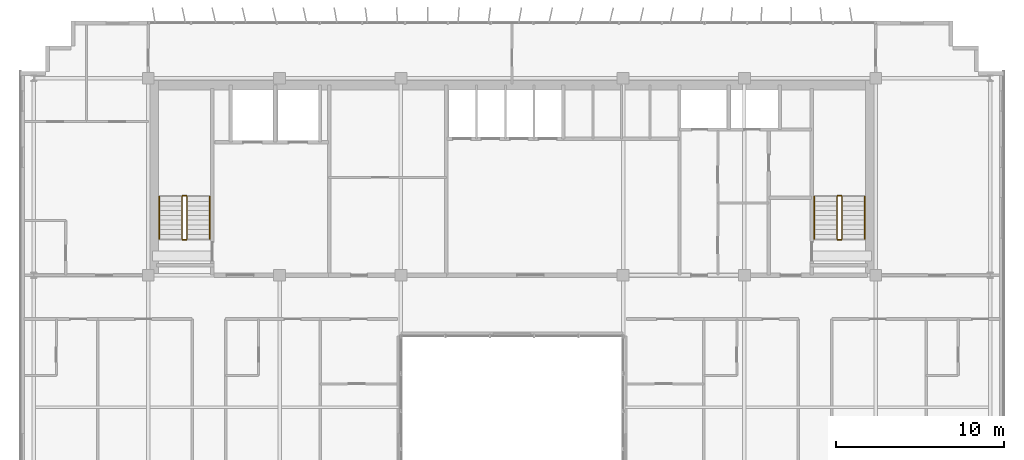
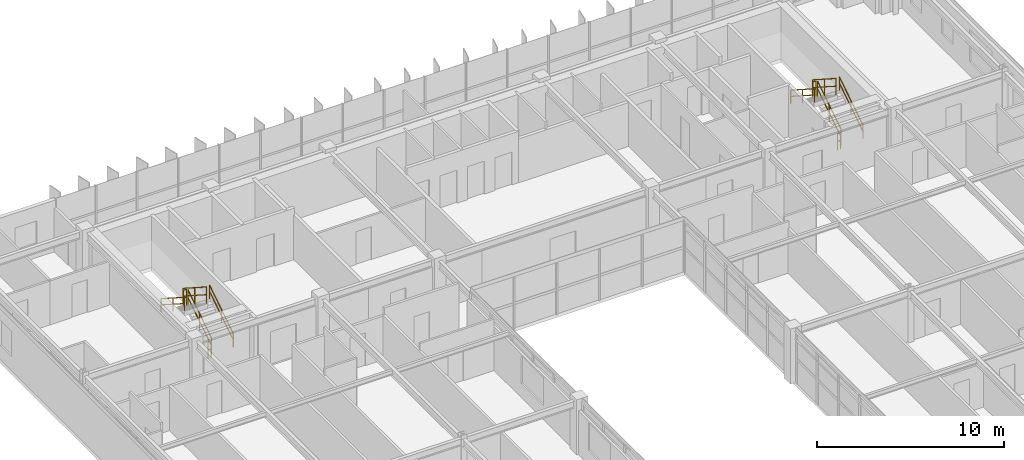
# One storey, part 34 of 34: 12 railings.
"""IFC4 building model written with IfcOpenShell, lengths in metres."""

import ifcopenshell
import ifcopenshell.guid

model = None  # the IFC model being written
_history = None  # IfcOwnerHistory: only IFC2X3 demands one
_inside = {}  # id of a spatial element -> (the spatial element, [elements in it])
_under = {}  # id of a project, library or spatial element -> (it, [spatial elements below it])
_declared = {}  # id of a project -> (the project, [libraries it declares])
_typed = {}  # id of a type object -> (the type object, [elements of that type])
_made_of = {}  # id of a material, layer set ... -> (it, [elements and type objects made of it])


def new_model(schema):
    """Start an empty IFC model of exactly this schema.

    Asked for "IFC4X3", IfcOpenShell would pick the latest addendum, in which some entities
    have other attributes; the version numbers below select the first issue.
    IFC2X3 requires an IfcOwnerHistory on every rooted entity: one is made here for all.
    """
    global model, _history
    if schema == "IFC4X3":
        model = ifcopenshell.file(schema_version=(4, 3, 0, 0))
    else:
        model = ifcopenshell.file(schema=schema)
    _inside.clear()
    _under.clear()
    _declared.clear()
    _typed.clear()
    _made_of.clear()
    _history = None
    if model.schema == "IFC2X3":
        org = make("IfcOrganization", Name="unknown")
        user = make(
            "IfcPersonAndOrganization",
            ThePerson=make("IfcPerson", FamilyName="unknown"),
            TheOrganization=org,
        )
        app = make(
            "IfcApplication",
            ApplicationDeveloper=org,
            Version="unknown",
            ApplicationFullName="unknown",
            ApplicationIdentifier="unknown",
        )
        _history = make(
            "IfcOwnerHistory",
            OwningUser=user,
            OwningApplication=app,
            ChangeAction="ADDED",
            CreationDate=0,
        )
    return model


def make(cls, **values):
    """One entity of the class cls with the attributes given. An attribute that is None is left unset."""
    return model.create_entity(
        cls, **{name: value for name, value in values.items() if value is not None}
    )


def rooted(cls, **values):
    """An entity with a GlobalId (a new one), such as an element, a storey or a relation."""
    return make(cls, GlobalId=ifcopenshell.guid.new(), OwnerHistory=_history, **values)


def si_unit(unit_type, name, prefix=None):
    """IfcSIUnit, for example si_unit("LENGTHUNIT", "METRE", prefix="MILLI")."""
    return make("IfcSIUnit", UnitType=unit_type, Prefix=prefix, Name=name)


def assignment(units):
    """IfcUnitAssignment: the units of a project."""
    return None if units is None else make("IfcUnitAssignment", Units=units)


def point(xyz):
    """IfcCartesianPoint."""
    return None if xyz is None else make("IfcCartesianPoint", Coordinates=xyz)


def direction(xyz):
    """IfcDirection."""
    return None if xyz is None else make("IfcDirection", DirectionRatios=xyz)


def frame(location, z_axis=None, x_axis=None):
    """IfcAxis2Placement3D, a coordinate frame: its origin and axes. An axis left out is left unset."""
    return make(
        "IfcAxis2Placement3D",
        Location=point(location),
        Axis=direction(z_axis),
        RefDirection=direction(x_axis),
    )


def frame_2d(location, x_axis=None):
    """IfcAxis2Placement2D, a coordinate frame in the plane: its origin and x axis."""
    return make(
        "IfcAxis2Placement2D", Location=point(location), RefDirection=direction(x_axis)
    )


def origin():
    """The frame at (0, 0, 0) with its axes left unset."""
    return frame((0.0, 0.0, 0.0))


def origin_2d():
    """The frame at (0, 0) in the plane with its x axis left unset."""
    return frame_2d((0.0, 0.0))


def place(relative_to, where):
    """IfcLocalPlacement: puts the frame where relative to a parent placement (None: the world)."""
    return make(
        "IfcLocalPlacement", PlacementRelTo=relative_to, RelativePlacement=where
    )


def context(
    kind, dimensions, precision=None, world=None, true_north=None, identifier=None
):
    """IfcGeometricRepresentationContext, for example the 3D "Model" context."""
    return make(
        "IfcGeometricRepresentationContext",
        ContextIdentifier=identifier,
        ContextType=kind,
        CoordinateSpaceDimension=dimensions,
        Precision=precision,
        WorldCoordinateSystem=world,
        TrueNorth=true_north,
    )


def subcontext(parent, identifier, kind, view, scale=None):
    """IfcGeometricRepresentationSubContext, for example "Body" below "Model"."""
    return make(
        "IfcGeometricRepresentationSubContext",
        ContextIdentifier=identifier,
        ContextType=kind,
        ParentContext=parent,
        TargetScale=scale,
        TargetView=view,
    )


def project(units=None, contexts=None):
    """IfcProject with its units and contexts."""
    return rooted(
        "IfcProject",
        Name="project",
        RepresentationContexts=contexts,
        UnitsInContext=assignment(units),
    )


def spatial(cls, under=None, at=None, **own):
    """A site, building, storey or space (cls), placed at a placement, below another one or the project."""
    s = rooted(cls, ObjectPlacement=at, **own)
    if under is not None:
        _under.setdefault(under.id(), (under, []))[1].append(s)
    return s


def profile(cls, at=None, kind="AREA", **sizes):
    """A parametric profile (cls). Its sizes go by their IFC names, for example OverallWidth=200.0."""
    return make(cls, ProfileType=kind, Position=at, **sizes)


def rectangle(**sizes):
    """IfcRectangleProfileDef."""
    return profile("IfcRectangleProfileDef", **sizes)


def extrude(swept, where, along, depth):
    """IfcExtrudedAreaSolid: the profile swept, set in the frame where, extruded along a direction by depth."""
    return make(
        "IfcExtrudedAreaSolid",
        SweptArea=swept,
        Position=where,
        ExtrudedDirection=direction(along),
        Depth=depth,
    )


def shape(context_of_items, identifier, shape_type, items):
    """IfcShapeRepresentation: the items that make up one representation, for example the "Body"."""
    return make(
        "IfcShapeRepresentation",
        ContextOfItems=context_of_items,
        RepresentationIdentifier=identifier,
        RepresentationType=shape_type,
        Items=items,
    )


def material(Name=None, Category=None):
    """IfcMaterial."""
    return make("IfcMaterial", Name=Name, Category=Category)


def made_of(thing, what):
    """Note that an element or type object is made of a material, layer set ...; save() writes the relation."""
    if what is not None:
        _made_of.setdefault(what.id(), (what, []))[1].append(thing)
    return thing


def type_object(cls, material=None, **own):
    """A type object (cls), such as IfcWallType, which elements share."""
    return made_of(rooted(cls, **own), material)


def element(
    cls,
    number,
    at=None,
    inside=None,
    cuts=None,
    type_object=None,
    material=None,
    context=None,
    identifier="Body",
    shape_type=None,
    held_by="IfcProductDefinitionShape",
    body=None,
    shapes=None,
    **own,
):
    """One element of the class cls, such as IfcWall. Its Tag is "e" and its number.

    at: its placement. inside: the storey or other place that contains it. cuts: it is an
    opening in that element (IfcRelVoidsElement). A single representation is given by context,
    identifier, shape_type and body (its items); several are given by shapes. held_by: the class
    of the entity that holds the representations. save() writes the other relations.
    """
    e = rooted(cls, Tag="e%d" % number, ObjectPlacement=at, **own)
    if body is not None:
        shapes = [shape(context, identifier, shape_type, body)]
    if shapes is not None:
        e.Representation = make(held_by, Representations=shapes)
    if inside is not None:
        _inside.setdefault(inside.id(), (inside, []))[1].append(e)
    if cuts is not None:
        rooted(
            "IfcRelVoidsElement", RelatingBuildingElement=cuts, RelatedOpeningElement=e
        )
    if type_object is not None:
        _typed.setdefault(type_object.id(), (type_object, []))[1].append(e)
    return made_of(e, material)


def aggregate(whole, parts):
    """IfcRelAggregates: a whole, such as a stair, and the parts it consists of."""
    return rooted("IfcRelAggregates", RelatingObject=whole, RelatedObjects=parts)


def save(model, path):
    """Write the relations noted so far, then the file.

    IfcRelAggregates (storeys below a building ...), IfcRelContainedInSpatialStructure (elements
    in a storey), IfcRelDefinesByType, IfcRelAssociatesMaterial and IfcRelDeclares: one each for
    every whole, place, type object, material and project.
    """
    for whole, parts in _under.values():
        aggregate(whole, parts)
    for where, things in _inside.values():
        rooted(
            "IfcRelContainedInSpatialStructure",
            RelatedElements=things,
            RelatingStructure=where,
        )
    for kind, things in _typed.values():
        rooted("IfcRelDefinesByType", RelatedObjects=things, RelatingType=kind)
    for what, things in _made_of.values():
        rooted("IfcRelAssociatesMaterial", RelatedObjects=things, RelatingMaterial=what)
    for by, libraries in _declared.values():
        rooted("IfcRelDeclares", RelatingContext=by, RelatedDefinitions=libraries)
    model.write(path)


model = new_model("IFC4")

# Units and contexts
model_context = context("Model", 3, precision=1e-05, world=origin(), true_north=direction((0.0, 1.0)))
body_context = subcontext(model_context, "Body", "Model", "MODEL_VIEW")
ifc_project = project(units=[si_unit("LENGTHUNIT", "METRE"), si_unit("AREAUNIT", "SQUARE_METRE"), si_unit("VOLUMEUNIT", "CUBIC_METRE"), si_unit("PLANEANGLEUNIT", "RADIAN"), si_unit("MASSUNIT", "GRAM", prefix="KILO")], contexts=[model_context])

# Site, building, storey
site_placement = place(None, origin())
site = spatial("IfcSite", under=ifc_project, at=site_placement, CompositionType="ELEMENT")
building_placement = place(site_placement, origin())
building = spatial("IfcBuilding", under=site, at=building_placement, Name="Trelvane Seafront Commons", CompositionType="ELEMENT")
storey_placement = place(building_placement, frame((0.0, 0.0, 197.699951171875)))
storey = spatial("IfcBuildingStorey", under=building, at=storey_placement, Name="L51", CompositionType="ELEMENT", Elevation=197.699951171875)

# Railings
ifc_material = material(Name="Stainless steel balustrade", Category="steel")
railing_type_1 = type_object("IfcRailingType", Name="ARCH-SRL-GUARD", PredefinedType="GUARDRAIL", material=ifc_material)
railing_1_placement = place(storey_placement, frame((17.89990234375, 35.550048828125, 0.179931640625)))
element("IfcRailing", 1, at=railing_1_placement, inside=storey, type_object=railing_type_1, Name="L51 ST-1 stair guard 1", PredefinedType="GUARDRAIL", context=body_context, shape_type="SweptSolid", body=[
    extrude(rectangle(XDim=0.048095703125, YDim=0.048095703125, at=origin_2d()), frame((0.0, 0.0, 1.076171875), z_axis=(0.0, 0.841162588446, 0.540782303519), x_axis=(-1.0, 0.0, 0.0)), (0.0, 0.0, 1.0), 2.995849609375),
    extrude(rectangle(XDim=0.048095703125, YDim=0.048095703125, at=origin_2d()), frame((0.0, 0.0, 0.572021484375), z_axis=(0.0, 0.841162588446, 0.540782303519), x_axis=(-1.0, 0.0, 0.0)), (0.0, 0.0, 1.0), 2.995849609375),
    extrude(rectangle(XDim=0.0419921875, YDim=0.0419921875, at=origin_2d()), origin(), (0.0, 0.0, 1.0), 1.076171875),
    extrude(rectangle(XDim=0.0419921875, YDim=0.0419921875, at=origin_2d()), frame((0.0, 1.260009765625, 0.81005859375)), (0.0, 0.0, 1.0), 1.076171875),
    extrude(rectangle(XDim=0.0419921875, YDim=0.0419921875, at=origin_2d()), frame((0.0, 2.52001953125, 1.6201171875)), (0.0, 0.0, 1.0), 1.076171875),
])
railing_2_placement = place(storey_placement, frame((17.85009765625, 38.1201171875, 1.800048828125)))
element("IfcRailing", 2, at=railing_2_placement, inside=storey, type_object=railing_type_1, Name="L51 ST-1 stair guard 2", PredefinedType="GUARDRAIL", context=body_context, shape_type="SweptSolid", body=[
    extrude(rectangle(XDim=0.048095703125, YDim=0.048095703125, at=origin_2d()), frame((0.0, 0.0, 1.076171875), z_axis=(-1.0, 0.0, 0.0), x_axis=(0.0, -1.0, 0.0)), (0.0, 0.0, 1.0), 0.2001953125),
    extrude(rectangle(XDim=0.048095703125, YDim=0.048095703125, at=origin_2d()), frame((0.0, 0.0, 0.572021484375), z_axis=(-1.0, 0.0, 0.0), x_axis=(0.0, -1.0, 0.0)), (0.0, 0.0, 1.0), 0.2001953125),
    extrude(rectangle(XDim=0.0419921875, YDim=0.0419921875, at=origin_2d()), origin(), (0.0, 0.0, 1.0), 1.076171875),
    extrude(rectangle(XDim=0.0419921875, YDim=0.0419921875, at=origin_2d()), frame((-0.2001953125, 0.0, 0.0)), (0.0, 0.0, 1.0), 1.076171875),
])
railing_3_placement = place(storey_placement, frame((17.60009765625, 38.070068359375, 1.97998046875)))
element("IfcRailing", 3, at=railing_3_placement, inside=storey, type_object=railing_type_1, Name="L51 ST-1 stair guard 3", PredefinedType="GUARDRAIL", context=body_context, shape_type="SweptSolid", body=[
    extrude(rectangle(XDim=0.048095703125, YDim=0.048095703125, at=origin_2d()), frame((0.0, 0.0, 1.076171875), z_axis=(0.0, -0.841162588446, 0.540782303519), x_axis=(1.0, 0.0, 0.0)), (0.0, 0.0, 1.0), 2.995849609375),
    extrude(rectangle(XDim=0.048095703125, YDim=0.048095703125, at=origin_2d()), frame((0.0, 0.0, 0.572021484375), z_axis=(0.0, -0.841162588446, 0.540782303519), x_axis=(1.0, 0.0, 0.0)), (0.0, 0.0, 1.0), 2.995849609375),
    extrude(rectangle(XDim=0.0419921875, YDim=0.0419921875, at=origin_2d()), origin(), (0.0, 0.0, 1.0), 1.076171875),
    extrude(rectangle(XDim=0.0419921875, YDim=0.0419921875, at=origin_2d()), frame((0.0, -1.260009765625, 0.81005859375)), (0.0, 0.0, 1.0), 1.076171875),
    extrude(rectangle(XDim=0.0419921875, YDim=0.0419921875, at=origin_2d()), frame((0.0, -2.52001953125, 1.6201171875)), (0.0, 0.0, 1.0), 1.076171875),
])
railing_4_placement = place(storey_placement, frame((17.85009765625, 35.5, 0.0)))
element("IfcRailing", 4, at=railing_4_placement, inside=storey, type_object=railing_type_1, Name="L51 ST-1 stair guard 4", PredefinedType="GUARDRAIL", context=body_context, shape_type="SweptSolid", body=[
    extrude(rectangle(XDim=0.048095703125, YDim=0.048095703125, at=origin_2d()), frame((0.0, 0.0, 1.076171875), z_axis=(-1.0, 0.0, 0.0), x_axis=(0.0, -1.0, 0.0)), (0.0, 0.0, 1.0), 0.2001953125),
    extrude(rectangle(XDim=0.048095703125, YDim=0.048095703125, at=origin_2d()), frame((0.0, 0.0, 0.572021484375), z_axis=(-1.0, 0.0, 0.0), x_axis=(0.0, -1.0, 0.0)), (0.0, 0.0, 1.0), 0.2001953125),
    extrude(rectangle(XDim=0.0419921875, YDim=0.0419921875, at=origin_2d()), origin(), (0.0, 0.0, 1.0), 1.076171875),
    extrude(rectangle(XDim=0.0419921875, YDim=0.0419921875, at=origin_2d()), frame((-0.2001953125, 0.0, 0.0)), (0.0, 0.0, 1.0), 1.076171875),
])
railing_5_placement = place(storey_placement, frame((56.800048828125, 35.550048828125, 0.179931640625)))
element("IfcRailing", 5, at=railing_5_placement, inside=storey, type_object=railing_type_1, Name="L51 ST-2 stair guard 1", PredefinedType="GUARDRAIL", context=body_context, shape_type="SweptSolid", body=[
    extrude(rectangle(XDim=0.048095703125, YDim=0.048095703125, at=origin_2d()), frame((0.0, 0.0, 1.076171875), z_axis=(0.0, 0.841162588446, 0.540782303519), x_axis=(-1.0, 0.0, 0.0)), (0.0, 0.0, 1.0), 2.995849609375),
    extrude(rectangle(XDim=0.048095703125, YDim=0.048095703125, at=origin_2d()), frame((0.0, 0.0, 0.572021484375), z_axis=(0.0, 0.841162588446, 0.540782303519), x_axis=(-1.0, 0.0, 0.0)), (0.0, 0.0, 1.0), 2.995849609375),
    extrude(rectangle(XDim=0.0419921875, YDim=0.0419921875, at=origin_2d()), origin(), (0.0, 0.0, 1.0), 1.076171875),
    extrude(rectangle(XDim=0.0419921875, YDim=0.0419921875, at=origin_2d()), frame((0.0, 1.260009765625, 0.81005859375)), (0.0, 0.0, 1.0), 1.076171875),
    extrude(rectangle(XDim=0.0419921875, YDim=0.0419921875, at=origin_2d()), frame((0.0, 2.52001953125, 1.6201171875)), (0.0, 0.0, 1.0), 1.076171875),
])
railing_6_placement = place(storey_placement, frame((56.75, 38.1201171875, 1.800048828125)))
element("IfcRailing", 6, at=railing_6_placement, inside=storey, type_object=railing_type_1, Name="L51 ST-2 stair guard 2", PredefinedType="GUARDRAIL", context=body_context, shape_type="SweptSolid", body=[
    extrude(rectangle(XDim=0.048095703125, YDim=0.048095703125, at=origin_2d()), frame((0.0, 0.0, 1.076171875), z_axis=(-1.0, 0.0, 0.0), x_axis=(0.0, -1.0, 0.0)), (0.0, 0.0, 1.0), 0.199951171875),
    extrude(rectangle(XDim=0.048095703125, YDim=0.048095703125, at=origin_2d()), frame((0.0, 0.0, 0.572021484375), z_axis=(-1.0, 0.0, 0.0), x_axis=(0.0, -1.0, 0.0)), (0.0, 0.0, 1.0), 0.199951171875),
    extrude(rectangle(XDim=0.0419921875, YDim=0.0419921875, at=origin_2d()), origin(), (0.0, 0.0, 1.0), 1.076171875),
    extrude(rectangle(XDim=0.0419921875, YDim=0.0419921875, at=origin_2d()), frame((-0.199951171875, 0.0, 0.0)), (0.0, 0.0, 1.0), 1.076171875),
])
railing_7_placement = place(storey_placement, frame((56.5, 38.070068359375, 1.97998046875)))
element("IfcRailing", 7, at=railing_7_placement, inside=storey, type_object=railing_type_1, Name="L51 ST-2 stair guard 3", PredefinedType="GUARDRAIL", context=body_context, shape_type="SweptSolid", body=[
    extrude(rectangle(XDim=0.048095703125, YDim=0.048095703125, at=origin_2d()), frame((0.0, 0.0, 1.076171875), z_axis=(0.0, -0.841162588446, 0.540782303519), x_axis=(1.0, 0.0, 0.0)), (0.0, 0.0, 1.0), 2.995849609375),
    extrude(rectangle(XDim=0.048095703125, YDim=0.048095703125, at=origin_2d()), frame((0.0, 0.0, 0.572021484375), z_axis=(0.0, -0.841162588446, 0.540782303519), x_axis=(1.0, 0.0, 0.0)), (0.0, 0.0, 1.0), 2.995849609375),
    extrude(rectangle(XDim=0.0419921875, YDim=0.0419921875, at=origin_2d()), origin(), (0.0, 0.0, 1.0), 1.076171875),
    extrude(rectangle(XDim=0.0419921875, YDim=0.0419921875, at=origin_2d()), frame((0.0, -1.260009765625, 0.81005859375)), (0.0, 0.0, 1.0), 1.076171875),
    extrude(rectangle(XDim=0.0419921875, YDim=0.0419921875, at=origin_2d()), frame((0.0, -2.52001953125, 1.6201171875)), (0.0, 0.0, 1.0), 1.076171875),
])
railing_8_placement = place(storey_placement, frame((56.75, 35.5, 0.0)))
element("IfcRailing", 8, at=railing_8_placement, inside=storey, type_object=railing_type_1, Name="L51 ST-2 stair guard 4", PredefinedType="GUARDRAIL", context=body_context, shape_type="SweptSolid", body=[
    extrude(rectangle(XDim=0.048095703125, YDim=0.048095703125, at=origin_2d()), frame((0.0, 0.0, 1.076171875), z_axis=(-1.0, 0.0, 0.0), x_axis=(0.0, -1.0, 0.0)), (0.0, 0.0, 1.0), 0.199951171875),
    extrude(rectangle(XDim=0.048095703125, YDim=0.048095703125, at=origin_2d()), frame((0.0, 0.0, 0.572021484375), z_axis=(-1.0, 0.0, 0.0), x_axis=(0.0, -1.0, 0.0)), (0.0, 0.0, 1.0), 0.199951171875),
    extrude(rectangle(XDim=0.0419921875, YDim=0.0419921875, at=origin_2d()), origin(), (0.0, 0.0, 1.0), 1.076171875),
    extrude(rectangle(XDim=0.0419921875, YDim=0.0419921875, at=origin_2d()), frame((-0.199951171875, 0.0, 0.0)), (0.0, 0.0, 1.0), 1.076171875),
])
railing_type_2 = type_object("IfcRailingType", Name="ARCH-SRL-HAND", PredefinedType="HANDRAIL", material=ifc_material)
railing_9_placement = place(storey_placement, frame((19.25, 35.550048828125, 0.179931640625)))
element("IfcRailing", 9, at=railing_9_placement, inside=storey, type_object=railing_type_2, Name="L51 ST-1 stair handrail 1", PredefinedType="HANDRAIL", context=body_context, shape_type="SweptSolid", body=[
    extrude(rectangle(XDim=0.048095703125, YDim=0.048095703125, at=origin_2d()), frame((0.0, 0.0, 0.8759765625), z_axis=(0.0, 0.841162588446, 0.540782303519), x_axis=(-1.0, 0.0, 0.0)), (0.0, 0.0, 1.0), 2.995849609375),
    extrude(rectangle(XDim=0.048095703125, YDim=0.048095703125, at=origin_2d()), frame((0.0, 0.0, 0.468017578125), z_axis=(0.0, 0.841162588446, 0.540782303519), x_axis=(-1.0, 0.0, 0.0)), (0.0, 0.0, 1.0), 2.995849609375),
    extrude(rectangle(XDim=0.0419921875, YDim=0.0419921875, at=origin_2d()), origin(), (0.0, 0.0, 1.0), 0.8759765625),
    extrude(rectangle(XDim=0.0419921875, YDim=0.0419921875, at=origin_2d()), frame((0.0, 1.260009765625, 0.81005859375)), (0.0, 0.0, 1.0), 0.8759765625),
    extrude(rectangle(XDim=0.0419921875, YDim=0.0419921875, at=origin_2d()), frame((0.0, 2.52001953125, 1.6201171875)), (0.0, 0.0, 1.0), 0.8759765625),
])
railing_10_placement = place(storey_placement, frame((16.25, 38.070068359375, 1.97998046875)))
element("IfcRailing", 10, at=railing_10_placement, inside=storey, type_object=railing_type_2, Name="L51 ST-1 stair handrail 2", PredefinedType="HANDRAIL", context=body_context, shape_type="SweptSolid", body=[
    extrude(rectangle(XDim=0.048095703125, YDim=0.048095703125, at=origin_2d()), frame((0.0, 0.0, 0.8759765625), z_axis=(0.0, -0.841162588446, 0.540782303519), x_axis=(1.0, 0.0, 0.0)), (0.0, 0.0, 1.0), 2.995849609375),
    extrude(rectangle(XDim=0.048095703125, YDim=0.048095703125, at=origin_2d()), frame((0.0, 0.0, 0.468017578125), z_axis=(0.0, -0.841162588446, 0.540782303519), x_axis=(1.0, 0.0, 0.0)), (0.0, 0.0, 1.0), 2.995849609375),
    extrude(rectangle(XDim=0.0419921875, YDim=0.0419921875, at=origin_2d()), origin(), (0.0, 0.0, 1.0), 0.8759765625),
    extrude(rectangle(XDim=0.0419921875, YDim=0.0419921875, at=origin_2d()), frame((0.0, -1.260009765625, 0.81005859375)), (0.0, 0.0, 1.0), 0.8759765625),
    extrude(rectangle(XDim=0.0419921875, YDim=0.0419921875, at=origin_2d()), frame((0.0, -2.52001953125, 1.6201171875)), (0.0, 0.0, 1.0), 0.8759765625),
])
railing_11_placement = place(storey_placement, frame((58.14990234375, 35.550048828125, 0.179931640625)))
element("IfcRailing", 11, at=railing_11_placement, inside=storey, type_object=railing_type_2, Name="L51 ST-2 stair handrail 1", PredefinedType="HANDRAIL", context=body_context, shape_type="SweptSolid", body=[
    extrude(rectangle(XDim=0.048095703125, YDim=0.048095703125, at=origin_2d()), frame((0.0, 0.0, 0.8759765625), z_axis=(0.0, 0.841162588446, 0.540782303519), x_axis=(-1.0, 0.0, 0.0)), (0.0, 0.0, 1.0), 2.995849609375),
    extrude(rectangle(XDim=0.048095703125, YDim=0.048095703125, at=origin_2d()), frame((0.0, 0.0, 0.468017578125), z_axis=(0.0, 0.841162588446, 0.540782303519), x_axis=(-1.0, 0.0, 0.0)), (0.0, 0.0, 1.0), 2.995849609375),
    extrude(rectangle(XDim=0.0419921875, YDim=0.0419921875, at=origin_2d()), origin(), (0.0, 0.0, 1.0), 0.8759765625),
    extrude(rectangle(XDim=0.0419921875, YDim=0.0419921875, at=origin_2d()), frame((0.0, 1.260009765625, 0.81005859375)), (0.0, 0.0, 1.0), 0.8759765625),
    extrude(rectangle(XDim=0.0419921875, YDim=0.0419921875, at=origin_2d()), frame((0.0, 2.52001953125, 1.6201171875)), (0.0, 0.0, 1.0), 0.8759765625),
])
railing_12_placement = place(storey_placement, frame((55.14990234375, 38.070068359375, 1.97998046875)))
element("IfcRailing", 12, at=railing_12_placement, inside=storey, type_object=railing_type_2, Name="L51 ST-2 stair handrail 2", PredefinedType="HANDRAIL", context=body_context, shape_type="SweptSolid", body=[
    extrude(rectangle(XDim=0.048095703125, YDim=0.048095703125, at=origin_2d()), frame((0.0, 0.0, 0.8759765625), z_axis=(0.0, -0.841162588446, 0.540782303519), x_axis=(1.0, 0.0, 0.0)), (0.0, 0.0, 1.0), 2.995849609375),
    extrude(rectangle(XDim=0.048095703125, YDim=0.048095703125, at=origin_2d()), frame((0.0, 0.0, 0.468017578125), z_axis=(0.0, -0.841162588446, 0.540782303519), x_axis=(1.0, 0.0, 0.0)), (0.0, 0.0, 1.0), 2.995849609375),
    extrude(rectangle(XDim=0.0419921875, YDim=0.0419921875, at=origin_2d()), origin(), (0.0, 0.0, 1.0), 0.8759765625),
    extrude(rectangle(XDim=0.0419921875, YDim=0.0419921875, at=origin_2d()), frame((0.0, -1.260009765625, 0.81005859375)), (0.0, 0.0, 1.0), 0.8759765625),
    extrude(rectangle(XDim=0.0419921875, YDim=0.0419921875, at=origin_2d()), frame((0.0, -2.52001953125, 1.6201171875)), (0.0, 0.0, 1.0), 0.8759765625),
])

save(model, "model.ifc")
